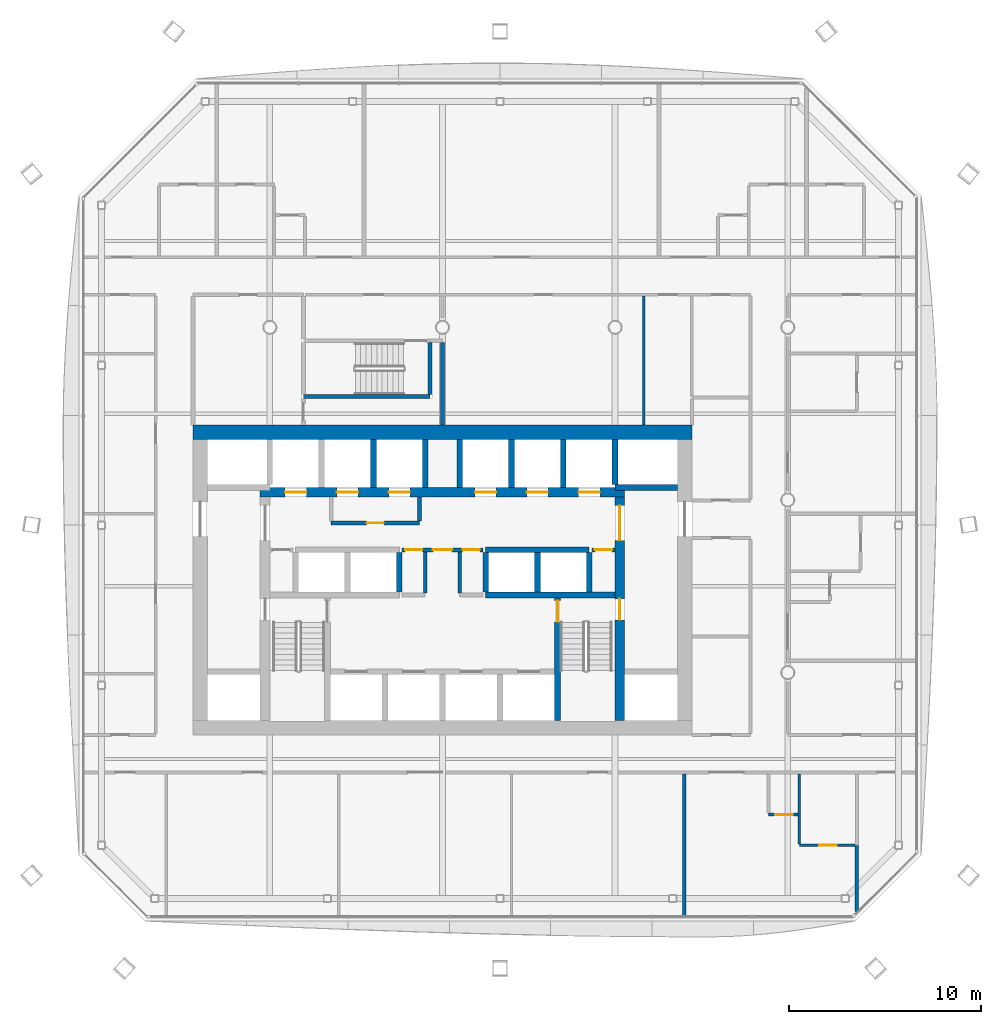
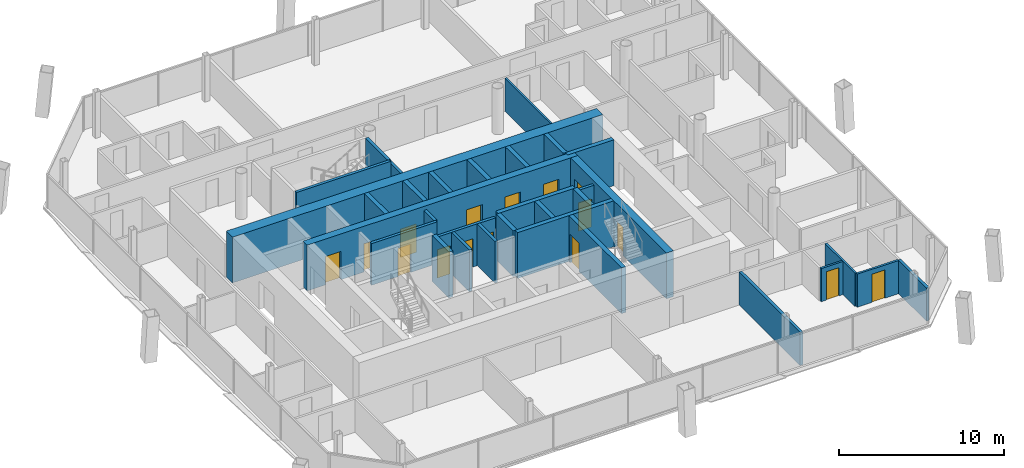
# One storey, part 12 of 17: 32 walls, 16 doors, 16 openings.
"""IFC4 building model written with IfcOpenShell, lengths in metres."""

from ifc_helpers import new_model, si_unit, direction, frame, frame_2d, origin, place, context, subcontext, project, spatial, rectangle, extrude, material, layer, layer_set, type_object, element, fill, save


model = new_model("IFC4")

# Units and contexts
model_context = context("Model", 3, precision=1e-05, world=origin(), true_north=direction((0.0, 1.0)))
body_context = subcontext(model_context, "Body", "Model", "MODEL_VIEW")
ifc_project = project(units=[si_unit("LENGTHUNIT", "METRE"), si_unit("AREAUNIT", "SQUARE_METRE"), si_unit("VOLUMEUNIT", "CUBIC_METRE"), si_unit("PLANEANGLEUNIT", "RADIAN"), si_unit("MASSUNIT", "GRAM", prefix="KILO")], contexts=[model_context])

# Site, building, storey
site_placement = place(None, origin())
site = spatial("IfcSite", under=ifc_project, at=site_placement, CompositionType="ELEMENT")
building_placement = place(site_placement, origin())
building = spatial("IfcBuilding", under=site, at=building_placement, Name="Tskaro Facet Tower", CompositionType="ELEMENT")
storey_placement = place(building_placement, frame((0.0, 0.0, 158.89990234375)))
storey = spatial("IfcBuildingStorey", under=building, at=storey_placement, Name="L39", CompositionType="ELEMENT", Elevation=158.89990234375)

# Walls
ifc_material_1 = material(Name="Concrete C60/75", Category="concrete")
ifc_layer_1 = layer(ifc_material_1, 0.300048828125, Name="Concrete C60/75")
ifc_layer_set_1 = layer_set([ifc_layer_1], Name="Concrete C60/75")
wall_type_1 = type_object("IfcWallType", Name="CORE-SHAFT", PredefinedType="SHEAR", material=ifc_layer_set_1)
wall_1_placement = place(storey_placement, frame((2.25, -4.949951171875, 0.0), z_axis=(0.0, 0.0, 1.0), x_axis=(1.0, 0.0, 0.0)))
element("IfcWall", 1, at=wall_1_placement, inside=storey, type_object=wall_type_1, Name="Shaft wall W017", PredefinedType="SHEAR", context=body_context, shape_type="SweptSolid", body=[
    extrude(rectangle(XDim=6.75, YDim=0.300048828125, at=frame_2d((3.375, 0.0))), origin(), (0.0, 0.0, 1.0), 3.400146484375),
])
wall_2_placement = place(storey_placement, frame((2.25, -2.60009765625, 0.0), z_axis=(0.0, 0.0, 1.0), x_axis=(1.0, 0.0, 0.0)))
element("IfcWall", 2, at=wall_2_placement, inside=storey, type_object=wall_type_1, Name="Shaft wall W022", PredefinedType="SHEAR", context=body_context, shape_type="SweptSolid", body=[
    extrude(rectangle(XDim=5.39990234375, YDim=0.300048828125, at=frame_2d((2.699951171875, 0.0))), origin(), (0.0, 0.0, 1.0), 3.400146484375),
])
wall_3_placement = place(storey_placement, frame((12.25, 0.64990234375, 0.0), z_axis=(0.0, 0.0, 1.0), x_axis=(-1.0, 0.0, 0.0)))
element("IfcWall", 3, at=wall_3_placement, inside=storey, type_object=wall_type_1, Name="Shaft wall W030", PredefinedType="SHEAR", context=body_context, shape_type="SweptSolid", body=[
    extrude(rectangle(XDim=3.25, YDim=0.300048828125, at=frame_2d((1.625, 0.0))), origin(), (0.0, 0.0, 1.0), 3.400146484375),
])
wall_4_placement = place(storey_placement, frame((-3.60009765625, 0.64990234375, 0.0), z_axis=(0.0, 0.0, 1.0), x_axis=(0.0, 1.0, 0.0)))
element("IfcWall", 4, at=wall_4_placement, inside=storey, type_object=wall_type_1, Name="Shaft wall W066", PredefinedType="SHEAR", context=body_context, shape_type="SweptSolid", body=[
    extrude(rectangle(XDim=2.5, YDim=0.300048828125, at=frame_2d((1.25, 0.0))), origin(), (0.0, 0.0, 1.0), 3.400146484375),
])
wall_5_placement = place(storey_placement, frame((-2.25, -4.800048828125, 0.0), z_axis=(0.0, 0.0, 1.0), x_axis=(0.0, 1.0, 0.0)))
element("IfcWall", 5, at=wall_5_placement, inside=storey, type_object=wall_type_1, Name="Shaft wall W068", PredefinedType="SHEAR", context=body_context, shape_type="SweptSolid", body=[
    extrude(rectangle(XDim=2.050048828125, YDim=0.300048828125, at=frame_2d((1.02490234375, 0.0))), origin(), (0.0, 0.0, 1.0), 3.400146484375),
])
for number, where, z_axis, x_axis, name in (
    (6, (-0.89990234375, 0.64990234375, 0.0), (0.0, 0.0, 1.0), (0.0, 1.0, 0.0), "Shaft wall W071"),
    (7, (0.89990234375, 0.64990234375, 0.0), (0.0, 0.0, 1.0), (0.0, 1.0, 0.0), "Shaft wall W077"),
):
    element("IfcWall", number, at=place(storey_placement, frame(where, z_axis=z_axis, x_axis=x_axis)), inside=storey, type_object=wall_type_1, Name=name, PredefinedType="SHEAR", context=body_context, shape_type="SweptSolid", body=[
        extrude(rectangle(XDim=2.5, YDim=0.300048828125, at=frame_2d((1.25, 0.0))), origin(), (0.0, 0.0, 1.0), 3.400146484375),
    ])
wall_6_placement = place(storey_placement, frame((2.25, -4.800048828125, 0.0), z_axis=(0.0, 0.0, 1.0), x_axis=(0.0, 1.0, 0.0)))
element("IfcWall", 8, at=wall_6_placement, inside=storey, type_object=wall_type_1, Name="Shaft wall W078", PredefinedType="SHEAR", context=body_context, shape_type="SweptSolid", body=[
    extrude(rectangle(XDim=2.050048828125, YDim=0.300048828125, at=frame_2d((1.02490234375, 0.0))), origin(), (0.0, 0.0, 1.0), 3.400146484375),
])
wall_7_placement = place(storey_placement, frame((3.60009765625, 0.64990234375, 0.0), z_axis=(0.0, 0.0, 1.0), x_axis=(0.0, 1.0, 0.0)))
element("IfcWall", 9, at=wall_7_placement, inside=storey, type_object=wall_type_1, Name="Shaft wall W081", PredefinedType="SHEAR", context=body_context, shape_type="SweptSolid", body=[
    extrude(rectangle(XDim=2.5, YDim=0.300048828125, at=frame_2d((1.25, 0.0))), origin(), (0.0, 0.0, 1.0), 3.400146484375),
])
wall_8_placement = place(storey_placement, frame((4.949951171875, -4.800048828125, 0.0), z_axis=(0.0, 0.0, 1.0), x_axis=(0.0, 1.0, 0.0)))
element("IfcWall", 10, at=wall_8_placement, inside=storey, type_object=wall_type_1, Name="Shaft wall W082", PredefinedType="SHEAR", context=body_context, shape_type="SweptSolid", body=[
    extrude(rectangle(XDim=2.050048828125, YDim=0.300048828125, at=frame_2d((1.02490234375, 0.0))), origin(), (0.0, 0.0, 1.0), 3.400146484375),
])

# Wall, opening, door
wall_9_placement = place(storey_placement, frame((6.0, -5.10009765625, 0.0), z_axis=(0.0, 0.0, 1.0), x_axis=(0.0, -1.0, 0.0)))
wall_9 = element("IfcWall", 11, at=wall_9_placement, inside=storey, type_object=wall_type_1, Name="Shaft wall W083", PredefinedType="SHEAR", context=body_context, shape_type="SweptSolid", body=[
    extrude(rectangle(XDim=6.39990234375, YDim=0.300048828125, at=frame_2d((3.199951171875, 0.0))), origin(), (0.0, 0.0, 1.0), 3.400146484375),
])
opening_1_placement = place(wall_9_placement, frame((0.14990234375, 0.0, 0.0)))
opening_1 = element("IfcOpeningElement", 12, at=opening_1_placement, cuts=wall_9, Name="Opening ST-2-D1", PredefinedType="OPENING", context=body_context, shape_type="SweptSolid", body=[
    extrude(rectangle(XDim=1.10009765625, YDim=2.10009765625, at=frame_2d((0.550048828125, 1.050048828125))), frame((0.0, 0.159912109375, 0.0), z_axis=(0.0, -1.0, 0.0), x_axis=(1.0, 0.0, 0.0)), (0.0, 0.0, 1.0), 0.320068359375),
])
ifc_material_2 = material(Name="Steel", Category="steel")
door_type_1 = type_object("IfcDoorType", Name="D-STAIR", OperationType="NOTDEFINED", PredefinedType="DOOR", material=ifc_material_2)
door_1_placement = place(opening_1_placement, origin())
door_1 = element("IfcDoor", 13, at=door_1_placement, inside=storey, type_object=door_type_1, Name="Stair door 2", OperationType="SINGLE_SWING_RIGHT", OverallHeight=2.10009765625, OverallWidth=1.10009765625, PredefinedType="DOOR", context=body_context, shape_type="SweptSolid", body=[
    extrude(rectangle(XDim=1.10009765625, YDim=2.10009765625, at=frame_2d((0.550048828125, 1.050048828125))), frame((0.0, 0.02490234375, 0.0), z_axis=(0.0, -1.0, 0.0), x_axis=(1.0, 0.0, 0.0)), (0.0, 0.0, 1.0), 0.050048828125),
])
fill(opening_1, door_1)

# Walls
wall_10_placement = place(storey_placement, frame((6.300048828125, 0.64990234375, 0.0), z_axis=(0.0, 0.0, 1.0), x_axis=(0.0, 1.0, 0.0)))
element("IfcWall", 14, at=wall_10_placement, inside=storey, type_object=wall_type_1, Name="Shaft wall W084", PredefinedType="SHEAR", context=body_context, shape_type="SweptSolid", body=[
    extrude(rectangle(XDim=2.5, YDim=0.300048828125, at=frame_2d((1.25, 0.0))), origin(), (0.0, 0.0, 1.0), 3.400146484375),
])
wall_11_placement = place(storey_placement, frame((7.64990234375, -4.800048828125, 0.0), z_axis=(0.0, 0.0, 1.0), x_axis=(0.0, 1.0, 0.0)))
element("IfcWall", 15, at=wall_11_placement, inside=storey, type_object=wall_type_1, Name="Shaft wall W085", PredefinedType="SHEAR", context=body_context, shape_type="SweptSolid", body=[
    extrude(rectangle(XDim=2.050048828125, YDim=0.300048828125, at=frame_2d((1.02490234375, 0.0))), origin(), (0.0, 0.0, 1.0), 3.400146484375),
])
wall_12_placement = place(storey_placement, frame((9.0, 0.800048828125, 0.0), z_axis=(0.0, 0.0, 1.0), x_axis=(0.0, 1.0, 0.0)))
element("IfcWall", 16, at=wall_12_placement, inside=storey, type_object=wall_type_1, Name="Shaft wall W086", PredefinedType="SHEAR", context=body_context, shape_type="SweptSolid", body=[
    extrude(rectangle(XDim=2.349853515625, YDim=0.300048828125, at=frame_2d((1.1748046875, 0.0))), origin(), (0.0, 0.0, 1.0), 3.400146484375),
])

# Wall, openings, doors
ifc_material_3 = material(Name="Concrete C20/25", Category="concrete")
ifc_layer_2 = layer(ifc_material_3, 0.199951171875, Name="Concrete C20/25")
ifc_layer_set_2 = layer_set([ifc_layer_2], Name="Concrete C20/25")
wall_type_2 = type_object("IfcWallType", Name="CORE-WALL", PredefinedType="SOLIDWALL", material=ifc_layer_set_2)
wall_13_placement = place(storey_placement, frame((2.10009765625, -2.60009765625, 0.0), z_axis=(0.0, 0.0, 1.0), x_axis=(-1.0, 0.0, 0.0)))
wall_13 = element("IfcWall", 17, at=wall_13_placement, inside=storey, type_object=wall_type_2, Name="Core room wall W021", PredefinedType="SOLIDWALL", context=body_context, shape_type="SweptSolid", body=[
    extrude(rectangle(XDim=4.2001953125, YDim=0.199951171875, at=frame_2d((2.10009765625, 0.0))), origin(), (0.0, 0.0, 1.0), 3.10009765625),
])
opening_2_placement = place(wall_13_placement, frame((1.60009765625, 0.0, 0.0)))
opening_2 = element("IfcOpeningElement", 18, at=opening_2_placement, cuts=wall_13, Name="Opening FL-D1", PredefinedType="OPENING", context=body_context, shape_type="SweptSolid", body=[
    extrude(rectangle(XDim=1.0, YDim=2.10009765625, at=frame_2d((0.5, 1.050048828125))), frame((0.0, 0.10986328125, 0.0), z_axis=(0.0, -1.0, 0.0), x_axis=(1.0, 0.0, 0.0)), (0.0, 0.0, 1.0), 0.219970703125),
])
opening_3_placement = place(wall_13_placement, frame((3.14990234375, 0.0, 0.0)))
opening_3 = element("IfcOpeningElement", 19, at=opening_3_placement, cuts=wall_13, Name="Opening T11p-D18", PredefinedType="OPENING", context=body_context, shape_type="SweptSolid", body=[
    extrude(rectangle(XDim=0.89990234375, YDim=2.10009765625, at=frame_2d((0.449951171875, 1.050048828125))), frame((0.0, 0.10986328125, 0.0), z_axis=(0.0, -1.0, 0.0), x_axis=(1.0, 0.0, 0.0)), (0.0, 0.0, 1.0), 0.219970703125),
])
opening_4_placement = place(wall_13_placement, frame((0.14990234375, 0.0, 0.0)))
opening_4 = element("IfcOpeningElement", 20, at=opening_4_placement, cuts=wall_13, Name="Opening T11p-D19", PredefinedType="OPENING", context=body_context, shape_type="SweptSolid", body=[
    extrude(rectangle(XDim=0.89990234375, YDim=2.10009765625, at=frame_2d((0.449951171875, 1.050048828125))), frame((0.0, 0.10986328125, 0.0), z_axis=(0.0, -1.0, 0.0), x_axis=(1.0, 0.0, 0.0)), (0.0, 0.0, 1.0), 0.219970703125),
])
door_type_2 = type_object("IfcDoorType", Name="D-LOBBY", OperationType="NOTDEFINED", PredefinedType="DOOR", material=ifc_material_2)
door_2_placement = place(opening_2_placement, origin())
door_2 = element("IfcDoor", 21, at=door_2_placement, inside=storey, type_object=door_type_2, Name="Lobby door FL", OperationType="SINGLE_SWING_RIGHT", OverallHeight=2.10009765625, OverallWidth=1.0, PredefinedType="DOOR", context=body_context, shape_type="SweptSolid", body=[
    extrude(rectangle(XDim=1.0, YDim=2.10009765625, at=frame_2d((0.5, 1.050048828125))), frame((0.0, 0.02490234375, 0.0), z_axis=(0.0, -1.0, 0.0), x_axis=(1.0, 0.0, 0.0)), (0.0, 0.0, 1.0), 0.050048828125),
])
fill(opening_2, door_2)
ifc_material_4 = material(Name="Timber", Category="wood")
door_type_3 = type_object("IfcDoorType", Name="D-ROOM", OperationType="NOTDEFINED", PredefinedType="DOOR", material=ifc_material_4)
door_3_placement = place(opening_3_placement, origin())
door_3 = element("IfcDoor", 22, at=door_3_placement, inside=storey, type_object=door_type_3, Name="Door T11p-D18", OperationType="SINGLE_SWING_RIGHT", OverallHeight=2.10009765625, OverallWidth=0.89990234375, PredefinedType="DOOR", context=body_context, shape_type="SweptSolid", body=[
    extrude(rectangle(XDim=0.89990234375, YDim=2.10009765625, at=frame_2d((0.449951171875, 1.050048828125))), frame((0.0, 0.02490234375, 0.0), z_axis=(0.0, -1.0, 0.0), x_axis=(1.0, 0.0, 0.0)), (0.0, 0.0, 1.0), 0.050048828125),
])
fill(opening_3, door_3)
door_4_placement = place(opening_4_placement, origin())
door_4 = element("IfcDoor", 23, at=door_4_placement, inside=storey, type_object=door_type_3, Name="Door T11p-D19", OperationType="SINGLE_SWING_RIGHT", OverallHeight=2.10009765625, OverallWidth=0.89990234375, PredefinedType="DOOR", context=body_context, shape_type="SweptSolid", body=[
    extrude(rectangle(XDim=0.89990234375, YDim=2.10009765625, at=frame_2d((0.449951171875, 1.050048828125))), frame((0.0, 0.02490234375, 0.0), z_axis=(0.0, -1.0, 0.0), x_axis=(1.0, 0.0, 0.0)), (0.0, 0.0, 1.0), 0.050048828125),
])
fill(opening_4, door_4)

# Wall, opening, door
wall_14_placement = place(storey_placement, frame((9.0, -2.60009765625, 0.0), z_axis=(0.0, 0.0, 1.0), x_axis=(-1.0, 0.0, 0.0)))
wall_14 = element("IfcWall", 24, at=wall_14_placement, inside=storey, type_object=wall_type_2, Name="Core room wall W023", PredefinedType="SOLIDWALL", context=body_context, shape_type="SweptSolid", body=[
    extrude(rectangle(XDim=1.199951171875, YDim=0.199951171875, at=frame_2d((0.60009765625, 0.0))), origin(), (0.0, 0.0, 1.0), 3.10009765625),
])
opening_5_placement = place(wall_14_placement, frame((0.14990234375, 0.0, 0.0)))
opening_5 = element("IfcOpeningElement", 25, at=opening_5_placement, cuts=wall_14, Name="Opening T11p-D20", PredefinedType="OPENING", context=body_context, shape_type="SweptSolid", body=[
    extrude(rectangle(XDim=0.89990234375, YDim=2.10009765625, at=frame_2d((0.449951171875, 1.050048828125))), frame((0.0, 0.10986328125, 0.0), z_axis=(0.0, -1.0, 0.0), x_axis=(1.0, 0.0, 0.0)), (0.0, 0.0, 1.0), 0.219970703125),
])
door_5_placement = place(opening_5_placement, origin())
door_5 = element("IfcDoor", 26, at=door_5_placement, inside=storey, type_object=door_type_3, Name="Door T11p-D20", OperationType="SINGLE_SWING_RIGHT", OverallHeight=2.10009765625, OverallWidth=0.89990234375, PredefinedType="DOOR", context=body_context, shape_type="SweptSolid", body=[
    extrude(rectangle(XDim=0.89990234375, YDim=2.10009765625, at=frame_2d((0.449951171875, 1.050048828125))), frame((0.0, 0.02490234375, 0.0), z_axis=(0.0, -1.0, 0.0), x_axis=(1.0, 0.0, 0.0)), (0.0, 0.0, 1.0), 0.050048828125),
])
fill(opening_5, door_5)

wall_15_placement = place(storey_placement, frame((-5.800048828125, -1.199951171875, 0.0), z_axis=(0.0, 0.0, 1.0), x_axis=(1.0, 0.0, 0.0)))
wall_15 = element("IfcWall", 27, at=wall_15_placement, inside=storey, type_object=wall_type_2, Name="Core room wall W025", PredefinedType="SOLIDWALL", context=body_context, shape_type="SweptSolid", body=[
    extrude(rectangle(XDim=4.60009765625, YDim=0.199951171875, at=frame_2d((2.300048828125, 0.0))), origin(), (0.0, 0.0, 1.0), 3.10009765625),
])
opening_6_placement = place(wall_15_placement, frame((1.85009765625, 0.0, 0.0)))
opening_6 = element("IfcOpeningElement", 28, at=opening_6_placement, cuts=wall_15, Name="Opening T11p-D24", PredefinedType="OPENING", context=body_context, shape_type="SweptSolid", body=[
    extrude(rectangle(XDim=0.89990234375, YDim=2.10009765625, at=frame_2d((0.449951171875, 1.050048828125))), frame((0.0, 0.10986328125, 0.0), z_axis=(0.0, -1.0, 0.0), x_axis=(1.0, 0.0, 0.0)), (0.0, 0.0, 1.0), 0.219970703125),
])
door_6_placement = place(opening_6_placement, origin())
door_6 = element("IfcDoor", 29, at=door_6_placement, inside=storey, type_object=door_type_3, Name="Door T11p-D24", OperationType="SINGLE_SWING_LEFT", OverallHeight=2.10009765625, OverallWidth=0.89990234375, PredefinedType="DOOR", context=body_context, shape_type="SweptSolid", body=[
    extrude(rectangle(XDim=0.89990234375, YDim=2.10009765625, at=frame_2d((0.449951171875, 1.050048828125))), frame((0.0, 0.02490234375, 0.0), z_axis=(0.0, -1.0, 0.0), x_axis=(1.0, 0.0, 0.0)), (0.0, 0.0, 1.0), 0.050048828125),
])
fill(opening_6, door_6)

# Walls
wall_16_placement = place(storey_placement, frame((-1.199951171875, -1.10009765625, 0.0), z_axis=(0.0, 0.0, 1.0), x_axis=(0.0, 1.0, 0.0)))
element("IfcWall", 30, at=wall_16_placement, inside=storey, type_object=wall_type_2, Name="Core room wall W069", PredefinedType="SOLIDWALL", context=body_context, shape_type="SweptSolid", body=[
    extrude(rectangle(XDim=1.25, YDim=0.199951171875, at=frame_2d((0.625, 0.0))), origin(), (0.0, 0.0, 1.0), 3.10009765625),
])
for number, where, z_axis, x_axis, name in (
    (31, (-0.89990234375, -4.85009765625, 0.0), (0.0, 0.0, 1.0), (0.0, 1.0, 0.0), "Core room wall W070"),
    (32, (0.89990234375, -4.85009765625, 0.0), (0.0, 0.0, 1.0), (0.0, 1.0, 0.0), "Core room wall W076"),
):
    element("IfcWall", number, at=place(storey_placement, frame(where, z_axis=z_axis, x_axis=x_axis)), inside=storey, type_object=wall_type_2, Name=name, PredefinedType="SOLIDWALL", context=body_context, shape_type="SweptSolid", body=[
        extrude(rectangle(XDim=2.150146484375, YDim=0.199951171875, at=frame_2d((1.0751953125, 0.0))), origin(), (0.0, 0.0, 1.0), 3.10009765625),
    ])

# Wall, openings, doors
ifc_material_5 = material(Name="Concrete C40/50", Category="concrete")
ifc_layer_3 = layer(ifc_material_5, 0.5, Name="Concrete C40/50")
ifc_layer_set_3 = layer_set([ifc_layer_3], Name="Concrete C40/50")
wall_type_3 = type_object("IfcWallType", Name="Core wall 500", PredefinedType="SHEAR", material=ifc_layer_set_3)
wall_17_placement = place(storey_placement, frame((-9.5, 0.39990234375, 0.0), z_axis=(0.0, 0.0, 1.0), x_axis=(1.0, 0.0, 0.0)))
wall_17 = element("IfcWall", 33, at=wall_17_placement, inside=storey, type_object=wall_type_3, Name="Core wall CW-Z3N", PredefinedType="SHEAR", context=body_context, shape_type="SweptSolid", body=[
    extrude(rectangle(XDim=19.0, YDim=0.5, at=frame_2d((9.5, 0.0))), origin(), (0.0, 0.0, 1.0), 3.400146484375),
])
opening_7_placement = place(wall_17_placement, frame((1.300048828125, 0.0, 0.0)))
opening_7 = element("IfcOpeningElement", 34, at=opening_7_placement, cuts=wall_17, Name="Opening LD-MB1", PredefinedType="OPENING", context=body_context, shape_type="SweptSolid", body=[
    extrude(rectangle(XDim=1.10009765625, YDim=2.10009765625, at=frame_2d((0.550048828125, 1.050048828125))), frame((0.0, 0.260009765625, 0.0), z_axis=(0.0, -1.0, 0.0), x_axis=(1.0, 0.0, 0.0)), (0.0, 0.0, 1.0), 0.52001953125),
])
opening_8_placement = place(wall_17_placement, frame((4.0, 0.0, 0.0)))
opening_8 = element("IfcOpeningElement", 35, at=opening_8_placement, cuts=wall_17, Name="Opening LD-MB2", PredefinedType="OPENING", context=body_context, shape_type="SweptSolid", body=[
    extrude(rectangle(XDim=1.10009765625, YDim=2.10009765625, at=frame_2d((0.550048828125, 1.050048828125))), frame((0.0, 0.260009765625, 0.0), z_axis=(0.0, -1.0, 0.0), x_axis=(1.0, 0.0, 0.0)), (0.0, 0.0, 1.0), 0.52001953125),
])
opening_9_placement = place(wall_17_placement, frame((6.699951171875, 0.0, 0.0)))
opening_9 = element("IfcOpeningElement", 36, at=opening_9_placement, cuts=wall_17, Name="Opening LD-MB3", PredefinedType="OPENING", context=body_context, shape_type="SweptSolid", body=[
    extrude(rectangle(XDim=1.10009765625, YDim=2.10009765625, at=frame_2d((0.550048828125, 1.050048828125))), frame((0.0, 0.260009765625, 0.0), z_axis=(0.0, -1.0, 0.0), x_axis=(1.0, 0.0, 0.0)), (0.0, 0.0, 1.0), 0.52001953125),
])
opening_10_placement = place(wall_17_placement, frame((11.199951171875, 0.0, 0.0)))
opening_10 = element("IfcOpeningElement", 37, at=opening_10_placement, cuts=wall_17, Name="Opening LD-MB4", PredefinedType="OPENING", context=body_context, shape_type="SweptSolid", body=[
    extrude(rectangle(XDim=1.10009765625, YDim=2.10009765625, at=frame_2d((0.550048828125, 1.050048828125))), frame((0.0, 0.260009765625, 0.0), z_axis=(0.0, -1.0, 0.0), x_axis=(1.0, 0.0, 0.0)), (0.0, 0.0, 1.0), 0.52001953125),
])
opening_11_placement = place(wall_17_placement, frame((13.89990234375, 0.0, 0.0)))
opening_11 = element("IfcOpeningElement", 38, at=opening_11_placement, cuts=wall_17, Name="Opening LD-MB5", PredefinedType="OPENING", context=body_context, shape_type="SweptSolid", body=[
    extrude(rectangle(XDim=1.10009765625, YDim=2.10009765625, at=frame_2d((0.550048828125, 1.050048828125))), frame((0.0, 0.260009765625, 0.0), z_axis=(0.0, -1.0, 0.0), x_axis=(1.0, 0.0, 0.0)), (0.0, 0.0, 1.0), 0.52001953125),
])
opening_12_placement = place(wall_17_placement, frame((16.60009765625, 0.0, 0.0)))
opening_12 = element("IfcOpeningElement", 39, at=opening_12_placement, cuts=wall_17, Name="Opening LD-MB6", PredefinedType="OPENING", context=body_context, shape_type="SweptSolid", body=[
    extrude(rectangle(XDim=1.10009765625, YDim=2.10009765625, at=frame_2d((0.550048828125, 1.050048828125))), frame((0.0, 0.260009765625, 0.0), z_axis=(0.0, -1.0, 0.0), x_axis=(1.0, 0.0, 0.0)), (0.0, 0.0, 1.0), 0.52001953125),
])
ifc_material_6 = material(Name="Stainless steel", Category="steel")
door_type_4 = type_object("IfcDoorType", Name="D-LANDING", OperationType="NOTDEFINED", PredefinedType="DOOR", material=ifc_material_6)
door_7_placement = place(opening_7_placement, origin())
door_7 = element("IfcDoor", 40, at=door_7_placement, inside=storey, type_object=door_type_4, Name="Landing door MB1", OperationType="DOUBLE_DOOR_SLIDING", OverallHeight=2.10009765625, OverallWidth=1.10009765625, PredefinedType="DOOR", context=body_context, shape_type="SweptSolid", body=[
    extrude(rectangle(XDim=1.10009765625, YDim=2.10009765625, at=frame_2d((0.550048828125, 1.050048828125))), frame((0.0, 0.02490234375, 0.0), z_axis=(0.0, -1.0, 0.0), x_axis=(1.0, 0.0, 0.0)), (0.0, 0.0, 1.0), 0.050048828125),
])
fill(opening_7, door_7)
door_8_placement = place(opening_8_placement, origin())
door_8 = element("IfcDoor", 41, at=door_8_placement, inside=storey, type_object=door_type_4, Name="Landing door MB2", OperationType="DOUBLE_DOOR_SLIDING", OverallHeight=2.10009765625, OverallWidth=1.10009765625, PredefinedType="DOOR", context=body_context, shape_type="SweptSolid", body=[
    extrude(rectangle(XDim=1.10009765625, YDim=2.10009765625, at=frame_2d((0.550048828125, 1.050048828125))), frame((0.0, 0.02490234375, 0.0), z_axis=(0.0, -1.0, 0.0), x_axis=(1.0, 0.0, 0.0)), (0.0, 0.0, 1.0), 0.050048828125),
])
fill(opening_8, door_8)
door_9_placement = place(opening_9_placement, origin())
door_9 = element("IfcDoor", 42, at=door_9_placement, inside=storey, type_object=door_type_4, Name="Landing door MB3", OperationType="DOUBLE_DOOR_SLIDING", OverallHeight=2.10009765625, OverallWidth=1.10009765625, PredefinedType="DOOR", context=body_context, shape_type="SweptSolid", body=[
    extrude(rectangle(XDim=1.10009765625, YDim=2.10009765625, at=frame_2d((0.550048828125, 1.050048828125))), frame((0.0, 0.02490234375, 0.0), z_axis=(0.0, -1.0, 0.0), x_axis=(1.0, 0.0, 0.0)), (0.0, 0.0, 1.0), 0.050048828125),
])
fill(opening_9, door_9)
door_10_placement = place(opening_10_placement, origin())
door_10 = element("IfcDoor", 43, at=door_10_placement, inside=storey, type_object=door_type_4, Name="Landing door MB4", OperationType="DOUBLE_DOOR_SLIDING", OverallHeight=2.10009765625, OverallWidth=1.10009765625, PredefinedType="DOOR", context=body_context, shape_type="SweptSolid", body=[
    extrude(rectangle(XDim=1.10009765625, YDim=2.10009765625, at=frame_2d((0.550048828125, 1.050048828125))), frame((0.0, 0.02490234375, 0.0), z_axis=(0.0, -1.0, 0.0), x_axis=(1.0, 0.0, 0.0)), (0.0, 0.0, 1.0), 0.050048828125),
])
fill(opening_10, door_10)
door_11_placement = place(opening_11_placement, origin())
door_11 = element("IfcDoor", 44, at=door_11_placement, inside=storey, type_object=door_type_4, Name="Landing door MB5", OperationType="DOUBLE_DOOR_SLIDING", OverallHeight=2.10009765625, OverallWidth=1.10009765625, PredefinedType="DOOR", context=body_context, shape_type="SweptSolid", body=[
    extrude(rectangle(XDim=1.10009765625, YDim=2.10009765625, at=frame_2d((0.550048828125, 1.050048828125))), frame((0.0, 0.02490234375, 0.0), z_axis=(0.0, -1.0, 0.0), x_axis=(1.0, 0.0, 0.0)), (0.0, 0.0, 1.0), 0.050048828125),
])
fill(opening_11, door_11)
door_12_placement = place(opening_12_placement, origin())
door_12 = element("IfcDoor", 45, at=door_12_placement, inside=storey, type_object=door_type_4, Name="Landing door MB6", OperationType="DOUBLE_DOOR_SLIDING", OverallHeight=2.10009765625, OverallWidth=1.10009765625, PredefinedType="DOOR", context=body_context, shape_type="SweptSolid", body=[
    extrude(rectangle(XDim=1.10009765625, YDim=2.10009765625, at=frame_2d((0.550048828125, 1.050048828125))), frame((0.0, 0.02490234375, 0.0), z_axis=(0.0, -1.0, 0.0), x_axis=(1.0, 0.0, 0.0)), (0.0, 0.0, 1.0), 0.050048828125),
])
fill(opening_12, door_12)

wall_18_placement = place(storey_placement, frame((9.25, -11.5, 0.0), z_axis=(0.0, 0.0, 1.0), x_axis=(0.0, 1.0, 0.0)))
wall_18 = element("IfcWall", 46, at=wall_18_placement, inside=storey, type_object=wall_type_3, Name="Core wall CW-Z3E", PredefinedType="SHEAR", context=body_context, shape_type="SweptSolid", body=[
    extrude(rectangle(XDim=11.64990234375, YDim=0.5, at=frame_2d((5.824951171875, 0.0))), origin(), (0.0, 0.0, 1.0), 3.400146484375),
])
opening_13_placement = place(wall_18_placement, frame((9.39990234375, 0.0, 0.0)))
opening_13 = element("IfcOpeningElement", 47, at=opening_13_placement, cuts=wall_18, Name="Opening T11p-D25", PredefinedType="OPENING", context=body_context, shape_type="SweptSolid", body=[
    extrude(rectangle(XDim=1.800048828125, YDim=2.10009765625, at=frame_2d((0.89990234375, 1.050048828125))), frame((0.0, 0.260009765625, 0.0), z_axis=(0.0, -1.0, 0.0), x_axis=(1.0, 0.0, 0.0)), (0.0, 0.0, 1.0), 0.52001953125),
])
opening_14_placement = place(wall_18_placement, frame((5.25, 0.0, 0.0)))
opening_14 = element("IfcOpeningElement", 48, at=opening_14_placement, cuts=wall_18, Name="Opening ST-2-D2", PredefinedType="OPENING", context=body_context, shape_type="SweptSolid", body=[
    extrude(rectangle(XDim=1.10009765625, YDim=2.10009765625, at=frame_2d((0.550048828125, 1.050048828125))), frame((0.0, 0.260009765625, 0.0), z_axis=(0.0, -1.0, 0.0), x_axis=(1.0, 0.0, 0.0)), (0.0, 0.0, 1.0), 0.52001953125),
])
door_type_5 = type_object("IfcDoorType", Name="D-CORE-PAIR", OperationType="NOTDEFINED", PredefinedType="DOOR", material=ifc_material_2)
door_13_placement = place(opening_13_placement, origin())
door_13 = element("IfcDoor", 49, at=door_13_placement, inside=storey, type_object=door_type_5, Name="Door T11p-D25", OperationType="DOUBLE_DOOR_SINGLE_SWING", OverallHeight=2.10009765625, OverallWidth=1.800048828125, PredefinedType="DOOR", context=body_context, shape_type="SweptSolid", body=[
    extrude(rectangle(XDim=1.800048828125, YDim=2.10009765625, at=frame_2d((0.89990234375, 1.050048828125))), frame((0.0, 0.02490234375, 0.0), z_axis=(0.0, -1.0, 0.0), x_axis=(1.0, 0.0, 0.0)), (0.0, 0.0, 1.0), 0.050048828125),
])
fill(opening_13, door_13)
door_14_placement = place(opening_14_placement, origin())
door_14 = element("IfcDoor", 50, at=door_14_placement, inside=storey, type_object=door_type_1, Name="Stair door 2 east", OperationType="SINGLE_SWING_LEFT", OverallHeight=2.10009765625, OverallWidth=1.10009765625, PredefinedType="DOOR", context=body_context, shape_type="SweptSolid", body=[
    extrude(rectangle(XDim=1.10009765625, YDim=2.10009765625, at=frame_2d((0.550048828125, 1.050048828125))), frame((0.0, 0.02490234375, 0.0), z_axis=(0.0, -1.0, 0.0), x_axis=(1.0, 0.0, 0.0)), (0.0, 0.0, 1.0), 0.050048828125),
])
fill(opening_14, door_14)

# Walls
ifc_material_7 = material(Name="Concrete C50/60", Category="concrete")
ifc_layer_4 = layer(ifc_material_7, 0.75, Name="Concrete C50/60")
ifc_layer_set_4 = layer_set([ifc_layer_4], Name="Concrete C50/60")
wall_type_4 = type_object("IfcWallType", Name="Core wall 750", PredefinedType="SHEAR", material=ifc_layer_set_4)
wall_19_placement = place(storey_placement, frame((-13.0, 3.52490234375, 0.0), z_axis=(0.0, 0.0, 1.0), x_axis=(1.0, 0.0, 0.0)))
element("IfcWall", 51, at=wall_19_placement, inside=storey, type_object=wall_type_4, Name="Core wall CW-Z2N", PredefinedType="SHEAR", context=body_context, shape_type="SweptSolid", body=[
    extrude(rectangle(XDim=26.0, YDim=0.75, at=frame_2d((13.0, 0.0))), origin(), (0.0, 0.0, 1.0), 3.400146484375),
])
ifc_material_8 = material(Name="Gypsum board on steel studs", Category="steel")
ifc_layer_5 = layer(ifc_material_8, 0.125, Name="Gypsum board on steel studs")
ifc_layer_set_5 = layer_set([ifc_layer_5], Name="Gypsum board on steel studs")
wall_type_5 = type_object("IfcWallType", Name="PART", PredefinedType="PARTITIONING", material=ifc_layer_set_5)
wall_20_placement = place(storey_placement, frame((10.5, 3.89990234375, 0.0), z_axis=(0.0, 0.0, 1.0), x_axis=(0.0, 1.0, 0.0)))
element("IfcWall", 52, at=wall_20_placement, inside=storey, type_object=wall_type_5, Name="Partition W087", PredefinedType="PARTITIONING", context=body_context, shape_type="SweptSolid", body=[
    extrude(rectangle(XDim=6.72509765625, YDim=0.125, at=frame_2d((3.362548828125, 0.0))), origin(), (0.0, 0.0, 1.0), 2.460205078125),
])

# Wall, opening, door
ifc_layer_6 = layer(ifc_material_8, 0.14990234375, Name="Gypsum board on steel studs")
ifc_layer_set_6 = layer_set([ifc_layer_6], Name="Gypsum board on steel studs")
wall_type_6 = type_object("IfcWallType", Name="PART-CORR", PredefinedType="PARTITIONING", material=ifc_layer_set_6)
wall_21_placement = place(storey_placement, frame((18.59912109375, -18.0, 0.0), z_axis=(0.0, 0.0, 1.0), x_axis=(1.0, 0.0, 0.0)))
wall_21 = element("IfcWall", 53, at=wall_21_placement, inside=storey, type_object=wall_type_6, Name="Corridor wall W001", PredefinedType="PARTITIONING", context=body_context, shape_type="SweptSolid", body=[
    extrude(rectangle(XDim=2.89990234375, YDim=0.14990234375, at=frame_2d((1.449951171875, 0.0))), origin(), (0.0, 0.0, 1.0), 2.460205078125),
])
opening_15_placement = place(wall_21_placement, frame((1.050048828125, 0.0, 0.0)))
opening_15 = element("IfcOpeningElement", 54, at=opening_15_placement, cuts=wall_21, Name="Opening T11p-D01", PredefinedType="OPENING", context=body_context, shape_type="SweptSolid", body=[
    extrude(rectangle(XDim=0.89990234375, YDim=2.10009765625, at=frame_2d((0.449951171875, 1.050048828125))), frame((0.0, 0.0849609375, 0.0), z_axis=(0.0, -1.0, 0.0), x_axis=(1.0, 0.0, 0.0)), (0.0, 0.0, 1.0), 0.169921875),
])
door_15_placement = place(opening_15_placement, origin())
door_15 = element("IfcDoor", 55, at=door_15_placement, inside=storey, type_object=door_type_3, Name="Door T11p-D01", OperationType="SINGLE_SWING_LEFT", OverallHeight=2.10009765625, OverallWidth=0.89990234375, PredefinedType="DOOR", context=body_context, shape_type="SweptSolid", body=[
    extrude(rectangle(XDim=0.89990234375, YDim=2.10009765625, at=frame_2d((0.449951171875, 1.050048828125))), frame((0.0, 0.02490234375, 0.0), z_axis=(0.0, -1.0, 0.0), x_axis=(1.0, 0.0, 0.0)), (0.0, 0.0, 1.0), 0.050048828125),
])
fill(opening_15, door_15)

wall_22_placement = place(storey_placement, frame((16.9990234375, -16.39990234375, 0.0), z_axis=(0.0, 0.0, 1.0), x_axis=(1.0, 0.0, 0.0)))
wall_22 = element("IfcWall", 56, at=wall_22_placement, inside=storey, type_object=wall_type_6, Name="Corridor wall W002", PredefinedType="PARTITIONING", context=body_context, shape_type="SweptSolid", body=[
    extrude(rectangle(XDim=1.52490234375, YDim=0.14990234375, at=frame_2d((0.762451171875, 0.0))), origin(), (0.0, 0.0, 1.0), 2.460205078125),
])
opening_16_placement = place(wall_22_placement, frame((0.35009765625, 0.0, 0.0)))
opening_16 = element("IfcOpeningElement", 57, at=opening_16_placement, cuts=wall_22, Name="Opening T11p-D02", PredefinedType="OPENING", context=body_context, shape_type="SweptSolid", body=[
    extrude(rectangle(XDim=0.89990234375, YDim=2.10009765625, at=frame_2d((0.449951171875, 1.050048828125))), frame((0.0, 0.0849609375, 0.0), z_axis=(0.0, -1.0, 0.0), x_axis=(1.0, 0.0, 0.0)), (0.0, 0.0, 1.0), 0.169921875),
])
door_16_placement = place(opening_16_placement, origin())
door_16 = element("IfcDoor", 58, at=door_16_placement, inside=storey, type_object=door_type_3, Name="Door T11p-D02", OperationType="SINGLE_SWING_LEFT", OverallHeight=2.10009765625, OverallWidth=0.89990234375, PredefinedType="DOOR", context=body_context, shape_type="SweptSolid", body=[
    extrude(rectangle(XDim=0.89990234375, YDim=2.10009765625, at=frame_2d((0.449951171875, 1.050048828125))), frame((0.0, 0.02490234375, 0.0), z_axis=(0.0, -1.0, 0.0), x_axis=(1.0, 0.0, 0.0)), (0.0, 0.0, 1.0), 0.050048828125),
])
fill(opening_16, door_16)

# Walls
wall_23_placement = place(storey_placement, frame((18.59912109375, -17.925048828125, 0.0), z_axis=(0.0, 0.0, 1.0), x_axis=(0.0, 1.0, 0.0)))
element("IfcWall", 59, at=wall_23_placement, inside=storey, type_object=wall_type_6, Name="Corridor wall W101", PredefinedType="PARTITIONING", context=body_context, shape_type="SweptSolid", body=[
    extrude(rectangle(XDim=3.650146484375, YDim=0.14990234375, at=frame_2d((1.8251953125, 0.0))), origin(), (0.0, 0.0, 1.0), 2.460205078125),
])
ifc_layer_7 = layer(ifc_material_8, 0.199951171875, Name="Gypsum board on steel studs")
ifc_layer_set_7 = layer_set([ifc_layer_7], Name="Gypsum board on steel studs")
wall_type_7 = type_object("IfcWallType", Name="PART-DEMISING", PredefinedType="PARTITIONING", material=ifc_layer_set_7)
wall_24_placement = place(storey_placement, frame((12.60009765625, -21.674072265625, 0.0), z_axis=(0.0, 0.0, 1.0), x_axis=(0.0, 1.0, 0.0)))
element("IfcWall", 60, at=wall_24_placement, inside=storey, type_object=wall_type_7, Name="Guest room wall W089", PredefinedType="PARTITIONING", context=body_context, shape_type="SweptSolid", body=[
    extrude(rectangle(XDim=7.399169921875, YDim=0.199951171875, at=frame_2d((3.69970703125, 0.0))), origin(), (0.0, 0.0, 1.0), 2.460205078125),
])
wall_25_placement = place(storey_placement, frame((21.59912109375, -21.447021484375, 0.0), z_axis=(0.0, 0.0, 1.0), x_axis=(0.0, 1.0, 0.0)))
element("IfcWall", 61, at=wall_25_placement, inside=storey, type_object=wall_type_7, Name="Guest room wall W104", PredefinedType="PARTITIONING", context=body_context, shape_type="SweptSolid", body=[
    extrude(rectangle(XDim=3.447021484375, YDim=0.199951171875, at=frame_2d((1.7236328125, 0.0))), origin(), (0.0, 0.0, 1.0), 2.460205078125),
])
ifc_layer_8 = layer(ifc_material_1, 0.199951171875, Name="Concrete C60/75")
ifc_layer_set_8 = layer_set([ifc_layer_8], Name="Concrete C60/75")
wall_type_8 = type_object("IfcWallType", Name="STAIR-WALL", PredefinedType="SHEAR", material=ifc_layer_set_8)
wall_26_placement = place(storey_placement, frame((-7.25, 5.39990234375, 0.0), z_axis=(0.0, 0.0, 1.0), x_axis=(1.0, 0.0, 0.0)))
element("IfcWall", 62, at=wall_26_placement, inside=storey, type_object=wall_type_8, Name="Stair wall W033", PredefinedType="SHEAR", context=body_context, shape_type="SweptSolid", body=[
    extrude(rectangle(XDim=6.60009765625, YDim=0.199951171875, at=frame_2d((3.300048828125, 0.0))), origin(), (0.0, 0.0, 1.0), 3.400146484375),
])
wall_27_placement = place(storey_placement, frame((-0.64990234375, 5.5, 0.0), z_axis=(0.0, 0.0, 1.0), x_axis=(0.0, 1.0, 0.0)))
element("IfcWall", 63, at=wall_27_placement, inside=storey, type_object=wall_type_8, Name="Stair wall W072", PredefinedType="SHEAR", context=body_context, shape_type="SweptSolid", body=[
    extrude(rectangle(XDim=2.699951171875, YDim=0.199951171875, at=frame_2d((1.35009765625, 0.0))), origin(), (0.0, 0.0, 1.0), 3.400146484375),
])
ifc_layer_9 = layer(ifc_material_3, 0.199951171875, Name="Concrete C20/25")
ifc_layer_set_9 = layer_set([ifc_layer_9], Name="Concrete C20/25")
wall_type_9 = type_object("IfcWallType", Name="WALL-RISER", PredefinedType="SOLIDWALL", material=ifc_layer_set_9)
wall_28_placement = place(storey_placement, frame((0.0, 3.89990234375, 0.0), z_axis=(0.0, 0.0, 1.0), x_axis=(0.0, 1.0, 0.0)))
element("IfcWall", 64, at=wall_28_placement, inside=storey, type_object=wall_type_9, Name="Riser room wall W074", PredefinedType="SOLIDWALL", context=body_context, shape_type="SweptSolid", body=[
    extrude(rectangle(XDim=4.300048828125, YDim=0.199951171875, at=frame_2d((2.14990234375, 0.0))), origin(), (0.0, 0.0, 1.0), 2.460205078125),
])

save(model, "model.ifc")
